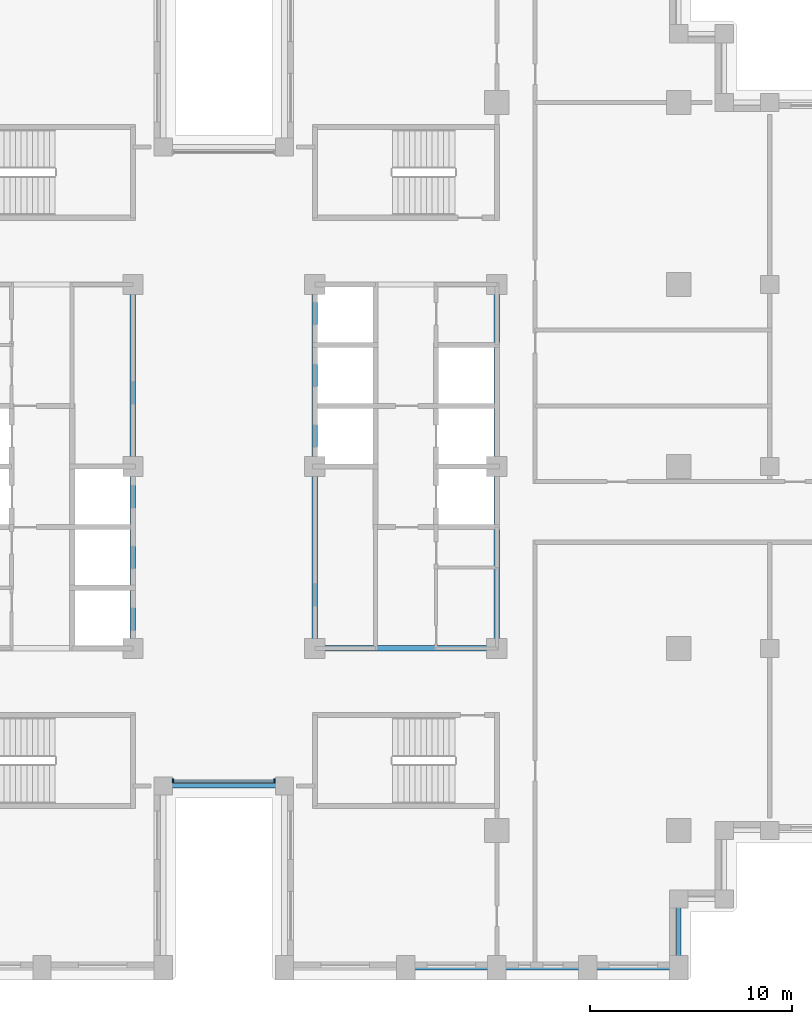
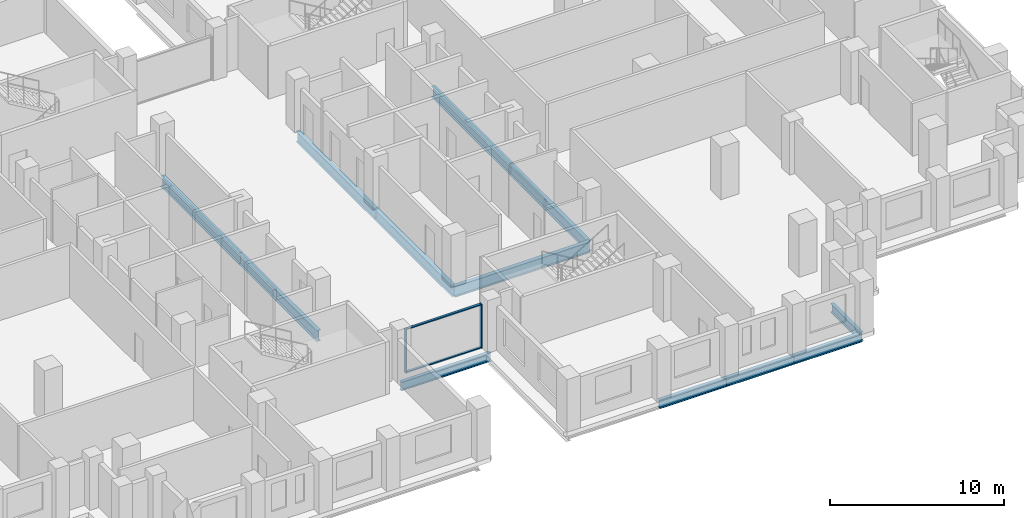
# One storey, part 2 of 15: 12 beams, 4 members, 1 element without a shape of its own.
"""IFC4 building model written with IfcOpenShell, lengths in metres."""

from ifc_helpers import new_model, si_unit, direction, frame, origin, origin_2d, place, context, subcontext, project, spatial, rectangle, i_section, extrude, material, layer, layer_set, material_profile, profile_set, type_object, element, aggregate, save


model = new_model("IFC4")

# Units and contexts
model_context = context("Model", 3, precision=1e-05, world=origin(), true_north=direction((0.0, 1.0)))
body_context = subcontext(model_context, "Body", "Model", "MODEL_VIEW")
ifc_project = project(units=[si_unit("LENGTHUNIT", "METRE"), si_unit("AREAUNIT", "SQUARE_METRE"), si_unit("VOLUMEUNIT", "CUBIC_METRE"), si_unit("PLANEANGLEUNIT", "RADIAN"), si_unit("MASSUNIT", "GRAM", prefix="KILO")], contexts=[model_context])

# Site, building, storey
site_placement = place(None, origin())
site = spatial("IfcSite", under=ifc_project, at=site_placement, CompositionType="ELEMENT")
building_placement = place(site_placement, origin())
building = spatial("IfcBuilding", under=site, at=building_placement, Name="Corbelhall Arena Tower", CompositionType="ELEMENT")
storey_placement = place(building_placement, frame((0.0, 0.0, 80.0)))
storey = spatial("IfcBuildingStorey", under=building, at=storey_placement, Name="L12", CompositionType="ELEMENT", Elevation=80.0)

# Curtain wall, members
ifc_material_1 = material(Name="Aluminium black anodised", Category="aluminium")
ifc_layer = layer(ifc_material_1, 0.199951171875)
ifc_layer_set = layer_set([ifc_layer], Name="EV-CW1 Slot back wall")
curtain_wall_type = type_object("IfcCurtainWallType", Name="EV-CW1 Slot back wall", PredefinedType="NOTDEFINED", material=ifc_layer_set)
curtain_wall_placement = place(storey_placement, origin())
curtain_wall = element("IfcCurtainWall", 1, at=curtain_wall_placement, inside=storey, type_object=curtain_wall_type, Name="Curtain wall CW1", PredefinedType="NOTDEFINED")
ifc_material_profile_1 = material_profile(ifc_material_1, rectangle(XDim=0.199951171875, YDim=0.074951171875, at=origin_2d()))
ifc_profile_set_1 = profile_set([ifc_material_profile_1], Name="Aluminium black anodised")
member_type_1 = type_object("IfcMemberType", Name="EV-CW1-MULLION", PredefinedType="MULLION", material=ifc_profile_set_1)
member_1_placement = place(storey_placement, frame((-2.512451171875, -15.550048828125, 0.0), z_axis=(0.0, 0.0, 1.0), x_axis=(0.0, 1.0, 0.0)))
member_1 = element("IfcMember", 2, at=member_1_placement, type_object=member_type_1, Name="CW1 mullion 1", PredefinedType="MULLION", context=body_context, shape_type="SweptSolid", body=[
    extrude(rectangle(XDim=0.199951171875, YDim=0.074951171875, at=origin_2d()), origin(), (0.0, 0.0, 1.0), 3.10009765625),
])
member_2_placement = place(storey_placement, frame((2.512451171875, -15.550048828125, 0.0), z_axis=(0.0, 0.0, 1.0), x_axis=(0.0, 1.0, 0.0)))
member_2 = element("IfcMember", 3, at=member_2_placement, type_object=member_type_1, Name="CW1 mullion 2", PredefinedType="MULLION", context=body_context, shape_type="SweptSolid", body=[
    extrude(rectangle(XDim=0.199951171875, YDim=0.074951171875, at=origin_2d()), origin(), (0.0, 0.0, 1.0), 3.10009765625),
])
ifc_material_profile_2 = material_profile(ifc_material_1, rectangle(XDim=0.14990234375, YDim=0.074951171875, at=origin_2d()))
ifc_profile_set_2 = profile_set([ifc_material_profile_2], Name="Aluminium black anodised")
member_type_2 = type_object("IfcMemberType", Name="EV-CW1-TRANSOM", PredefinedType="USERDEFINED", material=ifc_profile_set_2)
member_3_placement = place(storey_placement, frame((-2.47509765625, -15.550048828125, 0.03759765625), z_axis=(1.0, 0.0, 0.0), x_axis=(0.0, 1.0, 0.0)))
member_3 = element("IfcMember", 4, at=member_3_placement, type_object=member_type_2, Name="CW1 transom 1.1", ObjectType="transom", PredefinedType="USERDEFINED", context=body_context, shape_type="SweptSolid", body=[
    extrude(rectangle(XDim=0.14990234375, YDim=0.074951171875, at=origin_2d()), origin(), (0.0, 0.0, 1.0), 4.9501953125),
])
member_4_placement = place(storey_placement, frame((-2.47509765625, -15.550048828125, 3.0625), z_axis=(1.0, 0.0, 0.0), x_axis=(0.0, 1.0, 0.0)))
member_4 = element("IfcMember", 5, at=member_4_placement, type_object=member_type_2, Name="CW1 transom 1.2", ObjectType="transom", PredefinedType="USERDEFINED", context=body_context, shape_type="SweptSolid", body=[
    extrude(rectangle(XDim=0.14990234375, YDim=0.074951171875, at=origin_2d()), origin(), (0.0, 0.0, 1.0), 4.9501953125),
])
aggregate(curtain_wall, [member_1, member_2, member_3, member_4])

# Beams
ifc_material_2 = material(Name="Steel ASTM A992 Gr50", Category="steel")
ifc_material_profile_3 = material_profile(ifc_material_2, i_section(OverallWidth=0.2666015625, OverallDepth=0.761962890625, WebThickness=0.014404296875, FlangeThickness=0.021484375, at=origin_2d()))
ifc_profile_set_3 = profile_set([ifc_material_profile_3], Name="Steel ASTM A992 Gr50")
beam_type_1 = type_object("IfcBeamType", Name="ST-BEAM-W30x116", PredefinedType="BEAM", material=ifc_profile_set_3)
for number, where, z_axis, x_axis, name in (
    (6, (-4.5, -9.0, -0.680908203125), (0.0, 1.0, 0.0), (-1.0, 0.0, 0.0), "Beam CEW 3"),
    (7, (-4.5, 0.0, -0.680908203125), (0.0, 1.0, 0.0), (-1.0, 0.0, 0.0), "Beam CEW 4"),
    (8, (4.5, -9.0, -0.680908203125), (0.0, 1.0, 0.0), (-1.0, 0.0, 0.0), "Beam CEE 7"),
    (9, (4.5, 0.0, -0.680908203125), (0.0, 1.0, 0.0), (-1.0, 0.0, 0.0), "Beam CEE 8"),
    (10, (13.5, -9.0, -0.680908203125), (0.0, 1.0, 0.0), (-1.0, 0.0, 0.0), "Beam CEE 9"),
    (11, (13.5, 0.0, -0.680908203125), (0.0, 1.0, 0.0), (-1.0, 0.0, 0.0), "Beam CEE 10"),
    (12, (4.5, -9.0, -0.680908203125), (1.0, 0.0, 0.0), (0.0, 1.0, 0.0), "Beam CEE 11"),
):
    element("IfcBeam", number, at=place(storey_placement, frame(where, z_axis=z_axis, x_axis=x_axis)), inside=storey, type_object=beam_type_1, Name=name, PredefinedType="BEAM", context=body_context, shape_type="SweptSolid", body=[
        extrude(i_section(OverallWidth=0.2666015625, OverallDepth=0.761962890625, WebThickness=0.014404296875, FlangeThickness=0.021484375, at=origin_2d()), origin(), (0.0, 0.0, 1.0), 9.0),
    ])
ifc_material_profile_4 = material_profile(ifc_material_2, i_section(OverallWidth=0.23046875, OverallDepth=0.6171875, WebThickness=0.01318359375, FlangeThickness=0.022216796875, at=origin_2d()))
ifc_profile_set_4 = profile_set([ifc_material_profile_4], Name="Steel ASTM A992 Gr50")
beam_type_2 = type_object("IfcBeamType", Name="ST-SPANDREL-W24x94", PredefinedType="SPANDREL", material=ifc_profile_set_4)
for number, where, z_axis, x_axis, name in (
    (13, (13.5, -24.800048828125, -0.608642578125), (-1.0, 0.0, 0.0), (0.0, -1.0, 0.0), "Beam SP 29"),
    (14, (18.0, -24.800048828125, -0.608642578125), (-1.0, 0.0, 0.0), (0.0, -1.0, 0.0), "Beam SP 30"),
    (15, (22.5, -24.800048828125, -0.608642578125), (-1.0, 0.0, 0.0), (0.0, -1.0, 0.0), "Beam SP 31"),
):
    element("IfcBeam", number, at=place(storey_placement, frame(where, z_axis=z_axis, x_axis=x_axis)), inside=storey, type_object=beam_type_2, Name=name, PredefinedType="SPANDREL", context=body_context, shape_type="SweptSolid", body=[
        extrude(i_section(OverallWidth=0.23046875, OverallDepth=0.6171875, WebThickness=0.01318359375, FlangeThickness=0.022216796875, at=origin_2d()), origin(), (0.0, 0.0, 1.0), 4.5),
    ])
beam_1_placement = place(storey_placement, frame((3.0, -15.800048828125, -0.608642578125), z_axis=(-1.0, 0.0, 0.0), x_axis=(0.0, -1.0, 0.0)))
element("IfcBeam", 16, at=beam_1_placement, inside=storey, type_object=beam_type_2, Name="Beam SP 41", PredefinedType="SPANDREL", context=body_context, shape_type="SweptSolid", body=[
    extrude(i_section(OverallWidth=0.23046875, OverallDepth=0.6171875, WebThickness=0.01318359375, FlangeThickness=0.022216796875, at=origin_2d()), origin(), (0.0, 0.0, 1.0), 6.0),
])
beam_2_placement = place(storey_placement, frame((22.5, -21.39990234375, -0.608642578125), z_axis=(0.0, -1.0, 0.0), x_axis=(1.0, 0.0, 0.0)))
element("IfcBeam", 17, at=beam_2_placement, inside=storey, type_object=beam_type_2, Name="Beam SP 49", PredefinedType="SPANDREL", context=body_context, shape_type="SweptSolid", body=[
    extrude(i_section(OverallWidth=0.23046875, OverallDepth=0.6171875, WebThickness=0.01318359375, FlangeThickness=0.022216796875, at=origin_2d()), origin(), (0.0, 0.0, 1.0), 3.400146484375),
])

save(model, "model.ifc")
